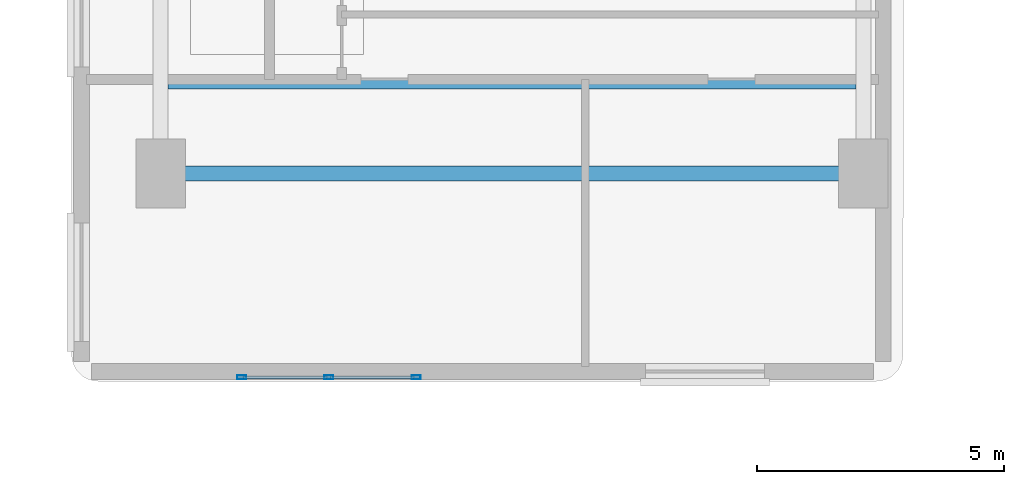
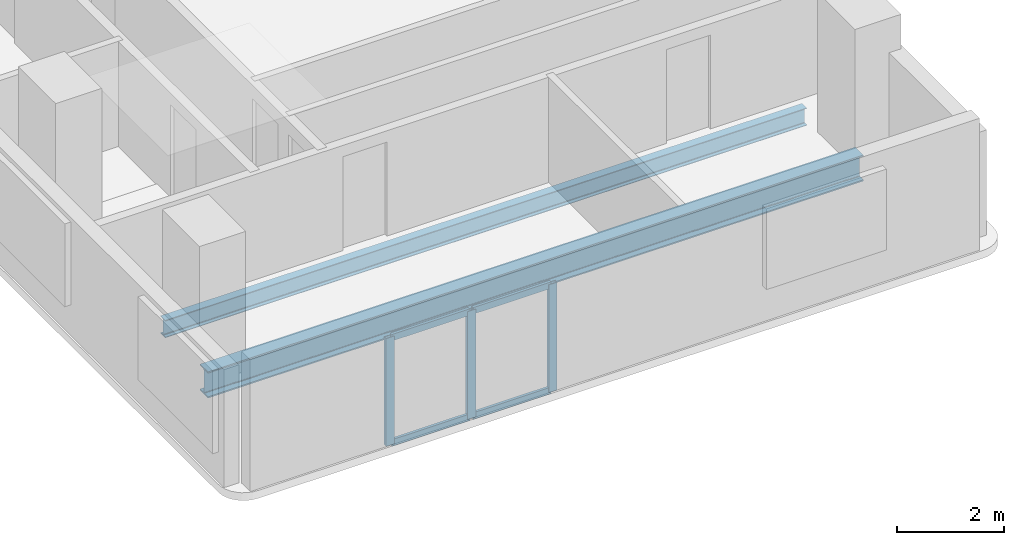
# One storey, part 2 of 17: 7 members, 2 beams, 1 element without a shape of its own.
"""IFC4 building model written with IfcOpenShell, lengths in metres."""

from ifc_helpers import new_model, si_unit, direction, frame, origin, origin_2d, place, context, subcontext, project, spatial, hollow_rectangle, i_section, extrude, material, material_profile, profile_set, type_object, element, aggregate, save


model = new_model("IFC4")

# Units and contexts
model_context = context("Model", 3, precision=1e-05, world=origin(), true_north=direction((0.0, 1.0)))
body_context = subcontext(model_context, "Body", "Model", "MODEL_VIEW")
ifc_project = project(units=[si_unit("LENGTHUNIT", "METRE"), si_unit("AREAUNIT", "SQUARE_METRE"), si_unit("VOLUMEUNIT", "CUBIC_METRE"), si_unit("PLANEANGLEUNIT", "RADIAN"), si_unit("MASSUNIT", "GRAM", prefix="KILO")], contexts=[model_context])

# Site, building, storey
site_placement = place(None, origin())
site = spatial("IfcSite", under=ifc_project, at=site_placement, CompositionType="ELEMENT")
building_placement = place(site_placement, origin())
building = spatial("IfcBuilding", under=site, at=building_placement, Name="Kuzgunbayir Cultural Tower", CompositionType="ELEMENT")
storey_placement = place(building_placement, frame((0.0, 0.0, 46.800048828125)))
storey = spatial("IfcBuildingStorey", under=building, at=storey_placement, Name="L12", CompositionType="ELEMENT", Elevation=46.800048828125)

# Beams
ifc_material_1 = material(Name="Steel S355J2", Category="steel")
ifc_material_profile_1 = material_profile(ifc_material_1, i_section(OverallWidth=0.300048828125, OverallDepth=0.60009765625, WebThickness=0.015380859375, FlangeThickness=0.030029296875, FilletRadius=0.027099609375, at=origin_2d()), Name="HEB 600")
ifc_profile_set_1 = profile_set([ifc_material_profile_1], Name="Steel S355J2")
beam_type_1 = type_object("IfcBeamType", Name="BM-GIR-HEB600", PredefinedType="BEAM", material=ifc_profile_set_1)
beam_1_placement = place(storey_placement, frame((5.39990234375, 12.60009765625, -0.47998046875), z_axis=(1.0, 0.0, 0.0), x_axis=(0.0, 1.0, 0.0)))
element("IfcBeam", 1, at=beam_1_placement, inside=storey, type_object=beam_type_1, Name="L12 Wing A Transverse Girder 1", PredefinedType="BEAM", context=body_context, shape_type="SweptSolid", body=[
    extrude(i_section(OverallWidth=0.300048828125, OverallDepth=0.60009765625, WebThickness=0.015380859375, FlangeThickness=0.030029296875, FilletRadius=0.027099609375, at=origin_2d()), origin(), (0.0, 0.0, 1.0), 14.2001953125),
])
ifc_material_profile_2 = material_profile(ifc_material_1, i_section(OverallWidth=0.179931640625, OverallDepth=0.39990234375, WebThickness=0.008544921875, FlangeThickness=0.013427734375, FilletRadius=0.02099609375, at=origin_2d()), Name="IPE 400")
ifc_profile_set_2 = profile_set([ifc_material_profile_2], Name="Steel S355J2")
beam_type_2 = type_object("IfcBeamType", Name="BM-JST-IPE400", PredefinedType="JOIST", material=ifc_profile_set_2)
beam_2_placement = place(storey_placement, frame((5.550048828125, 14.39990234375, -0.380126953125), z_axis=(1.0, 0.0, 0.0), x_axis=(0.0, 1.0, 0.0)))
element("IfcBeam", 2, at=beam_2_placement, inside=storey, type_object=beam_type_2, Name="L12 Wing A Secondary Joist 1", PredefinedType="JOIST", context=body_context, shape_type="SweptSolid", body=[
    extrude(i_section(OverallWidth=0.179931640625, OverallDepth=0.39990234375, WebThickness=0.008544921875, FlangeThickness=0.013427734375, FilletRadius=0.02099609375, at=origin_2d()), origin(), (0.0, 0.0, 1.0), 13.89990234375),
])

# Curtain wall, members
ifc_material_2 = material(Name="Anodised Aluminium Framing", Category="aluminium")
curtain_wall_type = type_object("IfcCurtainWallType", Name="CW03-T1-OFFICE", PredefinedType="NOTDEFINED", material=ifc_material_2)
curtain_wall_placement = place(storey_placement, origin())
curtain_wall = element("IfcCurtainWall", 3, at=curtain_wall_placement, inside=storey, type_object=curtain_wall_type, Name="L12 Wing A South Feature Curtain Wall", PredefinedType="NOTDEFINED")
ifc_material_profile_3 = material_profile(ifc_material_2, hollow_rectangle(XDim=0.074951171875, YDim=0.179931640625, WallThickness=0.0048828125, at=origin_2d()), Name="RHS 180x75x5")
ifc_profile_set_3 = profile_set([ifc_material_profile_3], Name="Anodised Aluminium Framing")
member_type_1 = type_object("IfcMemberType", Name="MEM-CW-MULLION-180", PredefinedType="MULLION", material=ifc_profile_set_3)
member_1_placement = place(storey_placement, frame((7.03759765625, 8.47998046875, 0.0), z_axis=(0.0, 0.0, 1.0), x_axis=(0.0, 1.0, 0.0)))
member_1 = element("IfcMember", 4, at=member_1_placement, type_object=member_type_1, Name="CW03 mullion 1", PredefinedType="MULLION", context=body_context, shape_type="SweptSolid", body=[
    extrude(hollow_rectangle(XDim=0.074951171875, YDim=0.179931640625, WallThickness=0.0048828125, at=origin_2d()), origin(), (0.0, 0.0, 1.0), 2.469970703125),
])
member_2_placement = place(storey_placement, frame((8.800048828125, 8.47998046875, 0.0), z_axis=(0.0, 0.0, 1.0), x_axis=(0.0, 1.0, 0.0)))
member_2 = element("IfcMember", 5, at=member_2_placement, type_object=member_type_1, Name="CW03 mullion 2", PredefinedType="MULLION", context=body_context, shape_type="SweptSolid", body=[
    extrude(hollow_rectangle(XDim=0.074951171875, YDim=0.179931640625, WallThickness=0.0048828125, at=origin_2d()), origin(), (0.0, 0.0, 1.0), 2.469970703125),
])
member_3_placement = place(storey_placement, frame((10.5625, 8.47998046875, 0.0), z_axis=(0.0, 0.0, 1.0), x_axis=(0.0, 1.0, 0.0)))
member_3 = element("IfcMember", 6, at=member_3_placement, type_object=member_type_1, Name="CW03 mullion 3", PredefinedType="MULLION", context=body_context, shape_type="SweptSolid", body=[
    extrude(hollow_rectangle(XDim=0.074951171875, YDim=0.179931640625, WallThickness=0.0048828125, at=origin_2d()), origin(), (0.0, 0.0, 1.0), 2.469970703125),
])
ifc_material_profile_4 = material_profile(ifc_material_2, hollow_rectangle(XDim=0.06005859375, YDim=0.14990234375, WallThickness=0.00390625, at=origin_2d()), Name="RHS 150x60x4")
ifc_profile_set_4 = profile_set([ifc_material_profile_4], Name="Anodised Aluminium Framing")
member_type_2 = type_object("IfcMemberType", Name="MEM-CW-TRANSOM-150", PredefinedType="USERDEFINED", material=ifc_profile_set_4)
member_4_placement = place(storey_placement, frame((7.074951171875, 8.47998046875, 0.030029296875), z_axis=(1.0, 0.0, 0.0), x_axis=(0.0, 1.0, 0.0)))
member_4 = element("IfcMember", 7, at=member_4_placement, type_object=member_type_2, Name="CW03 transom 1.1", ObjectType="TRANSOM", PredefinedType="USERDEFINED", context=body_context, shape_type="SweptSolid", body=[
    extrude(hollow_rectangle(XDim=0.06005859375, YDim=0.14990234375, WallThickness=0.00390625, at=origin_2d()), origin(), (0.0, 0.0, 1.0), 1.6875),
])
member_5_placement = place(storey_placement, frame((7.074951171875, 8.47998046875, 2.43994140625), z_axis=(1.0, 0.0, 0.0), x_axis=(0.0, 1.0, 0.0)))
member_5 = element("IfcMember", 8, at=member_5_placement, type_object=member_type_2, Name="CW03 transom 1.2", ObjectType="TRANSOM", PredefinedType="USERDEFINED", context=body_context, shape_type="SweptSolid", body=[
    extrude(hollow_rectangle(XDim=0.06005859375, YDim=0.14990234375, WallThickness=0.00390625, at=origin_2d()), origin(), (0.0, 0.0, 1.0), 1.6875),
])
member_6_placement = place(storey_placement, frame((8.83740234375, 8.47998046875, 0.030029296875), z_axis=(1.0, 0.0, 0.0), x_axis=(0.0, 1.0, 0.0)))
member_6 = element("IfcMember", 9, at=member_6_placement, type_object=member_type_2, Name="CW03 transom 2.1", ObjectType="TRANSOM", PredefinedType="USERDEFINED", context=body_context, shape_type="SweptSolid", body=[
    extrude(hollow_rectangle(XDim=0.06005859375, YDim=0.14990234375, WallThickness=0.00390625, at=origin_2d()), origin(), (0.0, 0.0, 1.0), 1.6875),
])
member_7_placement = place(storey_placement, frame((8.83740234375, 8.47998046875, 2.43994140625), z_axis=(1.0, 0.0, 0.0), x_axis=(0.0, 1.0, 0.0)))
member_7 = element("IfcMember", 10, at=member_7_placement, type_object=member_type_2, Name="CW03 transom 2.2", ObjectType="TRANSOM", PredefinedType="USERDEFINED", context=body_context, shape_type="SweptSolid", body=[
    extrude(hollow_rectangle(XDim=0.06005859375, YDim=0.14990234375, WallThickness=0.00390625, at=origin_2d()), origin(), (0.0, 0.0, 1.0), 1.6875),
])
aggregate(curtain_wall, [member_1, member_2, member_3, member_4, member_5, member_6, member_7])

save(model, "model.ifc")
